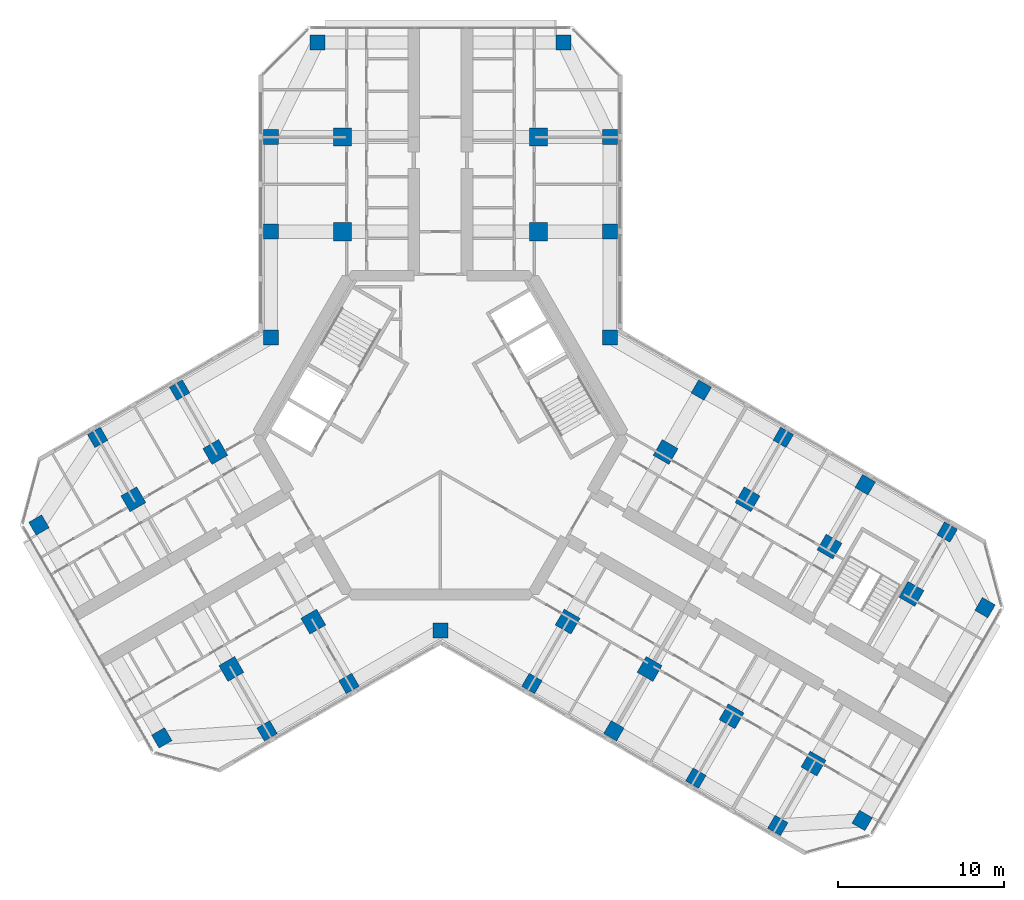
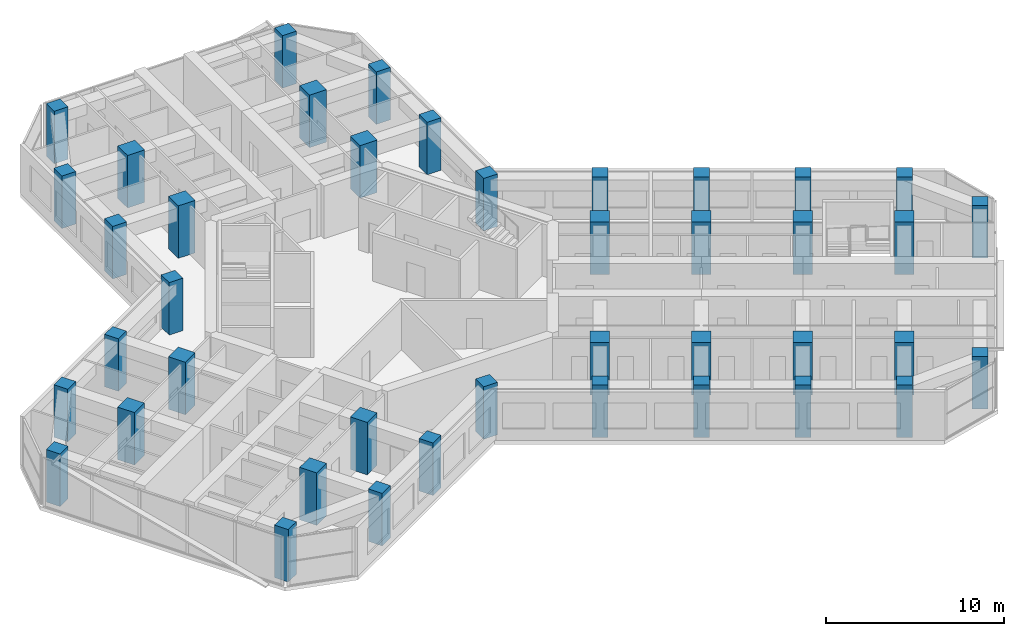
# One storey, part 1 of 16: 41 columns.
"""IFC4 building model written with IfcOpenShell, lengths in metres."""

from ifc_helpers import new_model, si_unit, direction, frame, origin, origin_2d, place, context, subcontext, project, spatial, rectangle, extrude, material, material_profile, profile_set, type_object, element, save


model = new_model("IFC4")

# Units and contexts
model_context = context("Model", 3, precision=1e-05, world=origin(), true_north=direction((0.0, 1.0)))
body_context = subcontext(model_context, "Body", "Model", "MODEL_VIEW")
ifc_project = project(units=[si_unit("LENGTHUNIT", "METRE"), si_unit("AREAUNIT", "SQUARE_METRE"), si_unit("VOLUMEUNIT", "CUBIC_METRE"), si_unit("PLANEANGLEUNIT", "RADIAN"), si_unit("MASSUNIT", "GRAM", prefix="KILO")], contexts=[model_context])

# Site, building, storey
site_placement = place(None, origin())
site = spatial("IfcSite", under=ifc_project, at=site_placement, CompositionType="ELEMENT")
building_placement = place(site_placement, origin())
building = spatial("IfcBuilding", under=site, at=building_placement, Name="Kosmar Iwan School Tower", CompositionType="ELEMENT")
storey_placement = place(building_placement, frame((0.0, 0.0, 197.39990234375)))
storey = spatial("IfcBuildingStorey", under=building, at=storey_placement, Name="L49", CompositionType="ELEMENT", Elevation=197.39990234375)

# Columns
ifc_material_1 = material(Name="Concrete C50/60", Category="concrete")
ifc_material_profile_1 = material_profile(ifc_material_1, rectangle(XDim=0.89990234375, YDim=0.89990234375, at=origin_2d()), Name="RC 900x900 + HD 400x347")
ifc_profile_set_1 = profile_set([ifc_material_profile_1], Name="Concrete C50/60")
column_type_1 = type_object("IfcColumnType", Name="Composite column 900x900 HD 400x347", PredefinedType="COLUMN", material=ifc_profile_set_1)
for number, where, z_axis, x_axis, name in (
    (1, (-10.199951171875, 12.25, 0.0), (0.0, 0.0, 1.0), (0.0, 1.0, 0.0), "Column AL1 L49"),
    (2, (-10.199951171875, 17.949951171875, 0.0), (0.0, 0.0, 1.0), (0.0, 1.0, 0.0), "Column AL2 L49"),
    (3, (-7.39990234375, 23.64990234375, 0.0), (0.0, 0.0, 1.0), (0.0, 1.0, 0.0), "Column ALTIP L49"),
    (4, (10.199951171875, 12.25, 0.0), (0.0, 0.0, 1.0), (0.0, 1.0, 0.0), "Column AR1 L49"),
    (5, (10.199951171875, 17.949951171875, 0.0), (0.0, 0.0, 1.0), (0.0, 1.0, 0.0), "Column AR2 L49"),
    (6, (7.39990234375, 23.64990234375, 0.0), (0.0, 0.0, 1.0), (0.0, 1.0, 0.0), "Column ARTIP L49"),
    (7, (-5.5087890625, -14.95849609375, 0.0), (0.0, 0.0, 1.0), (-0.866025403784, -0.5, 0.0), "Column BL1 L49"),
    (8, (-10.445068359375, -17.808349609375, 0.0), (0.0, 0.0, 1.0), (-0.866025403784, -0.5, 0.0), "Column BL2 L49"),
    (9, (-16.781494140625, -18.233642578125, 0.0), (0.0, 0.0, 1.0), (-0.866025403784, -0.5, 0.0), "Column BLTIP L49"),
    (10, (-15.708740234375, 2.70849609375, 0.0), (0.0, 0.0, 1.0), (-0.866025403784, -0.5, 0.0), "Column BR1 L49"),
    (11, (-20.645263671875, -0.1416015625, 0.0), (0.0, 0.0, 1.0), (-0.866025403784, -0.5, 0.0), "Column BR2 L49"),
    (12, (-24.181396484375, -5.41650390625, 0.0), (0.0, 0.0, 1.0), (-0.866025403784, -0.5, 0.0), "Column BRTIP L49"),
    (13, (15.708740234375, 2.70849609375, 0.0), (0.0, 0.0, 1.0), (0.866025403784, -0.5, 0.0), "Column CL1 L49"),
    (14, (20.645263671875, -0.1416015625, 0.0), (0.0, 0.0, 1.0), (0.866025403784, -0.5, 0.0), "Column CL2 L49"),
    (15, (25.58154296875, -2.991455078125, 0.0), (0.0, 0.0, 1.0), (0.866025403784, -0.5, 0.0), "Column CL3 L49"),
    (16, (30.517822265625, -5.841552734375, 0.0), (0.0, 0.0, 1.0), (0.866025403784, -0.5, 0.0), "Column CL4 L49"),
    (17, (32.79833984375, -10.391357421875, 0.0), (0.0, 0.0, 1.0), (0.866025403784, -0.5, 0.0), "Column CLTIP L49"),
    (18, (5.5087890625, -14.95849609375, 0.0), (0.0, 0.0, 1.0), (0.866025403784, -0.5, 0.0), "Column CR1 L49"),
    (19, (10.445068359375, -17.808349609375, 0.0), (0.0, 0.0, 1.0), (0.866025403784, -0.5, 0.0), "Column CR2 L49"),
    (20, (15.381591796875, -20.658447265625, 0.0), (0.0, 0.0, 1.0), (0.866025403784, -0.5, 0.0), "Column CR3 L49"),
    (21, (20.31787109375, -23.508544921875, 0.0), (0.0, 0.0, 1.0), (0.866025403784, -0.5, 0.0), "Column CR4 L49"),
    (22, (25.3984375, -23.20849609375, 0.0), (0.0, 0.0, 1.0), (0.866025403784, -0.5, 0.0), "Column CRTIP L49"),
    (23, (-10.199951171875, 5.888916015625, 0.0), (0.0, 0.0, 1.0), (1.0, 0.0, 0.0), "Column RAB L49"),
    (24, (10.199951171875, 5.888916015625, 0.0), (0.0, 0.0, 1.0), (1.0, 0.0, 0.0), "Column RAC L49"),
    (25, (0.0, -11.77783203125, 0.0), (0.0, 0.0, 1.0), (1.0, 0.0, 0.0), "Column RBC L49"),
):
    element("IfcColumn", number, at=place(storey_placement, frame(where, z_axis=z_axis, x_axis=x_axis)), inside=storey, type_object=column_type_1, Name=name, PredefinedType="COLUMN", context=body_context, shape_type="SweptSolid", body=[
        extrude(rectangle(XDim=0.89990234375, YDim=0.89990234375, at=origin_2d()), origin(), (0.0, 0.0, 1.0), 3.60009765625),
    ])
ifc_material_2 = material(Name="Concrete C50/60", Category="concrete")
ifc_material_profile_2 = material_profile(ifc_material_2, rectangle(XDim=1.10009765625, YDim=1.10009765625, at=origin_2d()), Name="RC 1100x1100")
ifc_profile_set_2 = profile_set([ifc_material_profile_2], Name="Concrete C50/60")
column_type_2 = type_object("IfcColumnType", Name="RC interior column 1100x1100", PredefinedType="COLUMN", material=ifc_profile_set_2)
for number, where, z_axis, x_axis, name in (
    (26, (-5.89990234375, 12.25, 0.0), (0.0, 0.0, 1.0), (0.0, 1.0, 0.0), "Interior column ALI1 L49"),
    (27, (-5.89990234375, 17.949951171875, 0.0), (0.0, 0.0, 1.0), (0.0, 1.0, 0.0), "Interior column ALI2 L49"),
    (28, (5.89990234375, 12.25, 0.0), (0.0, 0.0, 1.0), (0.0, 1.0, 0.0), "Interior column ARI1 L49"),
    (29, (5.89990234375, 17.949951171875, 0.0), (0.0, 0.0, 1.0), (0.0, 1.0, 0.0), "Interior column ARI2 L49"),
    (30, (-7.65869140625, -11.234619140625, 0.0), (0.0, 0.0, 1.0), (-0.866025403784, -0.5, 0.0), "Interior column BLI1 L49"),
    (31, (-12.59521484375, -14.08447265625, 0.0), (0.0, 0.0, 1.0), (-0.866025403784, -0.5, 0.0), "Interior column BLI2 L49"),
    (32, (-13.558837890625, -1.015380859375, 0.0), (0.0, 0.0, 1.0), (-0.866025403784, -0.5, 0.0), "Interior column BRI1 L49"),
    (33, (-18.4951171875, -3.865478515625, 0.0), (0.0, 0.0, 1.0), (-0.866025403784, -0.5, 0.0), "Interior column BRI2 L49"),
    (34, (13.558837890625, -1.015380859375, 0.0), (0.0, 0.0, 1.0), (0.866025403784, -0.5, 0.0), "Interior column CLI1 L49"),
    (35, (18.4951171875, -3.865478515625, 0.0), (0.0, 0.0, 1.0), (0.866025403784, -0.5, 0.0), "Interior column CLI2 L49"),
    (36, (23.431396484375, -6.71533203125, 0.0), (0.0, 0.0, 1.0), (0.866025403784, -0.5, 0.0), "Interior column CLI3 L49"),
    (37, (28.367919921875, -9.5654296875, 0.0), (0.0, 0.0, 1.0), (0.866025403784, -0.5, 0.0), "Interior column CLI4 L49"),
    (38, (7.65869140625, -11.234619140625, 0.0), (0.0, 0.0, 1.0), (0.866025403784, -0.5, 0.0), "Interior column CRI1 L49"),
    (39, (12.59521484375, -14.08447265625, 0.0), (0.0, 0.0, 1.0), (0.866025403784, -0.5, 0.0), "Interior column CRI2 L49"),
    (40, (17.531494140625, -16.9345703125, 0.0), (0.0, 0.0, 1.0), (0.866025403784, -0.5, 0.0), "Interior column CRI3 L49"),
    (41, (22.4677734375, -19.78466796875, 0.0), (0.0, 0.0, 1.0), (0.866025403784, -0.5, 0.0), "Interior column CRI4 L49"),
):
    element("IfcColumn", number, at=place(storey_placement, frame(where, z_axis=z_axis, x_axis=x_axis)), inside=storey, type_object=column_type_2, Name=name, PredefinedType="COLUMN", context=body_context, shape_type="SweptSolid", body=[
        extrude(rectangle(XDim=1.10009765625, YDim=1.10009765625, at=origin_2d()), origin(), (0.0, 0.0, 1.0), 3.60009765625),
    ])

save(model, "model.ifc")
